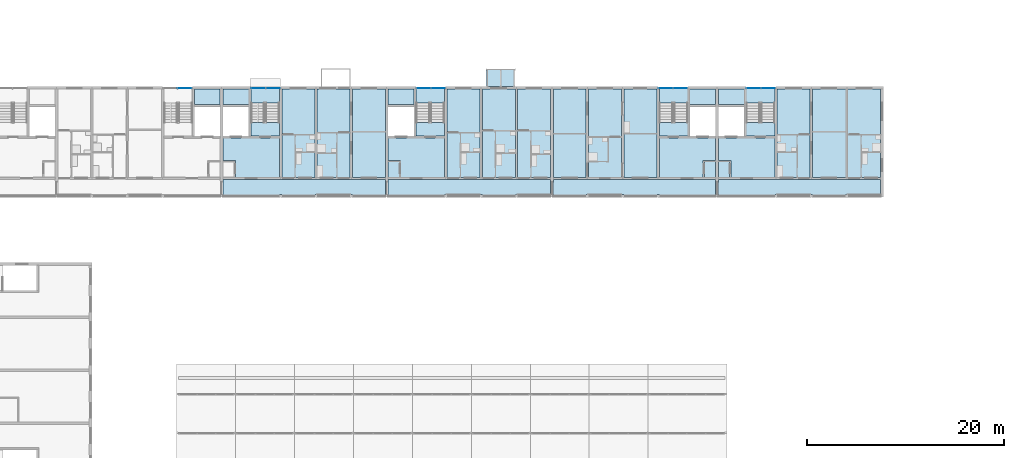
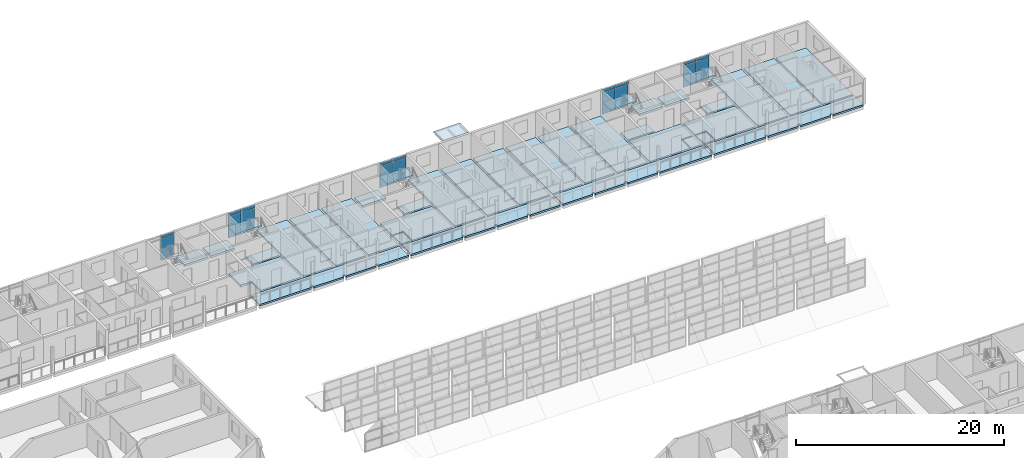
# One storey, part 52 of 122: 37 slabs, 18 plates, 9 elements without a shape of their own.
"""IFC4 building model written with IfcOpenShell, lengths in metres."""

import ifcopenshell
import ifcopenshell.guid

model = None  # the IFC model being written
_history = None  # IfcOwnerHistory: only IFC2X3 demands one
_inside = {}  # id of a spatial element -> (the spatial element, [elements in it])
_under = {}  # id of a project, library or spatial element -> (it, [spatial elements below it])
_declared = {}  # id of a project -> (the project, [libraries it declares])
_typed = {}  # id of a type object -> (the type object, [elements of that type])
_made_of = {}  # id of a material, layer set ... -> (it, [elements and type objects made of it])


def new_model(schema):
    """Start an empty IFC model of exactly this schema.

    Asked for "IFC4X3", IfcOpenShell would pick the latest addendum, in which some entities
    have other attributes; the version numbers below select the first issue.
    IFC2X3 requires an IfcOwnerHistory on every rooted entity: one is made here for all.
    """
    global model, _history
    if schema == "IFC4X3":
        model = ifcopenshell.file(schema_version=(4, 3, 0, 0))
    else:
        model = ifcopenshell.file(schema=schema)
    _inside.clear()
    _under.clear()
    _declared.clear()
    _typed.clear()
    _made_of.clear()
    _history = None
    if model.schema == "IFC2X3":
        org = make("IfcOrganization", Name="unknown")
        user = make(
            "IfcPersonAndOrganization",
            ThePerson=make("IfcPerson", FamilyName="unknown"),
            TheOrganization=org,
        )
        app = make(
            "IfcApplication",
            ApplicationDeveloper=org,
            Version="unknown",
            ApplicationFullName="unknown",
            ApplicationIdentifier="unknown",
        )
        _history = make(
            "IfcOwnerHistory",
            OwningUser=user,
            OwningApplication=app,
            ChangeAction="ADDED",
            CreationDate=0,
        )
    return model


def make(cls, **values):
    """One entity of the class cls with the attributes given. An attribute that is None is left unset."""
    return model.create_entity(
        cls, **{name: value for name, value in values.items() if value is not None}
    )


def rooted(cls, **values):
    """An entity with a GlobalId (a new one), such as an element, a storey or a relation."""
    return make(cls, GlobalId=ifcopenshell.guid.new(), OwnerHistory=_history, **values)


def si_unit(unit_type, name, prefix=None):
    """IfcSIUnit, for example si_unit("LENGTHUNIT", "METRE", prefix="MILLI")."""
    return make("IfcSIUnit", UnitType=unit_type, Prefix=prefix, Name=name)


def assignment(units):
    """IfcUnitAssignment: the units of a project."""
    return None if units is None else make("IfcUnitAssignment", Units=units)


def point(xyz):
    """IfcCartesianPoint."""
    return None if xyz is None else make("IfcCartesianPoint", Coordinates=xyz)


def direction(xyz):
    """IfcDirection."""
    return None if xyz is None else make("IfcDirection", DirectionRatios=xyz)


def frame(location, z_axis=None, x_axis=None):
    """IfcAxis2Placement3D, a coordinate frame: its origin and axes. An axis left out is left unset."""
    return make(
        "IfcAxis2Placement3D",
        Location=point(location),
        Axis=direction(z_axis),
        RefDirection=direction(x_axis),
    )


def frame_2d(location, x_axis=None):
    """IfcAxis2Placement2D, a coordinate frame in the plane: its origin and x axis."""
    return make(
        "IfcAxis2Placement2D", Location=point(location), RefDirection=direction(x_axis)
    )


def origin():
    """The frame at (0, 0, 0) with its axes left unset."""
    return frame((0.0, 0.0, 0.0))


def origin_2d():
    """The frame at (0, 0) in the plane with its x axis left unset."""
    return frame_2d((0.0, 0.0))


def place(relative_to, where):
    """IfcLocalPlacement: puts the frame where relative to a parent placement (None: the world)."""
    return make(
        "IfcLocalPlacement", PlacementRelTo=relative_to, RelativePlacement=where
    )


def context(
    kind, dimensions, precision=None, world=None, true_north=None, identifier=None
):
    """IfcGeometricRepresentationContext, for example the 3D "Model" context."""
    return make(
        "IfcGeometricRepresentationContext",
        ContextIdentifier=identifier,
        ContextType=kind,
        CoordinateSpaceDimension=dimensions,
        Precision=precision,
        WorldCoordinateSystem=world,
        TrueNorth=true_north,
    )


def subcontext(parent, identifier, kind, view, scale=None):
    """IfcGeometricRepresentationSubContext, for example "Body" below "Model"."""
    return make(
        "IfcGeometricRepresentationSubContext",
        ContextIdentifier=identifier,
        ContextType=kind,
        ParentContext=parent,
        TargetScale=scale,
        TargetView=view,
    )


def project(units=None, contexts=None):
    """IfcProject with its units and contexts."""
    return rooted(
        "IfcProject",
        Name="project",
        RepresentationContexts=contexts,
        UnitsInContext=assignment(units),
    )


def spatial(cls, under=None, at=None, **own):
    """A site, building, storey or space (cls), placed at a placement, below another one or the project."""
    s = rooted(cls, ObjectPlacement=at, **own)
    if under is not None:
        _under.setdefault(under.id(), (under, []))[1].append(s)
    return s


def polyline(points):
    """IfcPolyline through the points."""
    return make("IfcPolyline", Points=[point(p) for p in points])


def profile(cls, at=None, kind="AREA", **sizes):
    """A parametric profile (cls). Its sizes go by their IFC names, for example OverallWidth=200.0."""
    return make(cls, ProfileType=kind, Position=at, **sizes)


def rectangle(**sizes):
    """IfcRectangleProfileDef."""
    return profile("IfcRectangleProfileDef", **sizes)


def outline(outer, holes=None, kind="AREA"):
    """IfcArbitraryClosedProfileDef: a profile drawn as a closed curve; with holes, ...WithVoids."""
    if holes is None:
        return make("IfcArbitraryClosedProfileDef", ProfileType=kind, OuterCurve=outer)
    return make(
        "IfcArbitraryProfileDefWithVoids",
        ProfileType=kind,
        OuterCurve=outer,
        InnerCurves=holes,
    )


def extrude(swept, where, along, depth):
    """IfcExtrudedAreaSolid: the profile swept, set in the frame where, extruded along a direction by depth."""
    return make(
        "IfcExtrudedAreaSolid",
        SweptArea=swept,
        Position=where,
        ExtrudedDirection=direction(along),
        Depth=depth,
    )


def shape(context_of_items, identifier, shape_type, items):
    """IfcShapeRepresentation: the items that make up one representation, for example the "Body"."""
    return make(
        "IfcShapeRepresentation",
        ContextOfItems=context_of_items,
        RepresentationIdentifier=identifier,
        RepresentationType=shape_type,
        Items=items,
    )


def material(Name=None, Category=None):
    """IfcMaterial."""
    return make("IfcMaterial", Name=Name, Category=Category)


def layer(
    of_material, thickness, ventilated=None, Name=None, Category=None, Priority=None
):
    """IfcMaterialLayer: one layer of a wall or slab, of a material (None: an air gap)."""
    return make(
        "IfcMaterialLayer",
        Material=of_material,
        LayerThickness=thickness,
        IsVentilated=ventilated,
        Name=Name,
        Category=Category,
        Priority=Priority,
    )


def layer_set(layers, Name=None):
    """IfcMaterialLayerSet."""
    return make("IfcMaterialLayerSet", MaterialLayers=layers, LayerSetName=Name)


def made_of(thing, what):
    """Note that an element or type object is made of a material, layer set ...; save() writes the relation."""
    if what is not None:
        _made_of.setdefault(what.id(), (what, []))[1].append(thing)
    return thing


def type_object(cls, material=None, **own):
    """A type object (cls), such as IfcWallType, which elements share."""
    return made_of(rooted(cls, **own), material)


def element(
    cls,
    number,
    at=None,
    inside=None,
    cuts=None,
    type_object=None,
    material=None,
    context=None,
    identifier="Body",
    shape_type=None,
    held_by="IfcProductDefinitionShape",
    body=None,
    shapes=None,
    **own,
):
    """One element of the class cls, such as IfcWall. Its Tag is "e" and its number.

    at: its placement. inside: the storey or other place that contains it. cuts: it is an
    opening in that element (IfcRelVoidsElement). A single representation is given by context,
    identifier, shape_type and body (its items); several are given by shapes. held_by: the class
    of the entity that holds the representations. save() writes the other relations.
    """
    e = rooted(cls, Tag="e%d" % number, ObjectPlacement=at, **own)
    if body is not None:
        shapes = [shape(context, identifier, shape_type, body)]
    if shapes is not None:
        e.Representation = make(held_by, Representations=shapes)
    if inside is not None:
        _inside.setdefault(inside.id(), (inside, []))[1].append(e)
    if cuts is not None:
        rooted(
            "IfcRelVoidsElement", RelatingBuildingElement=cuts, RelatedOpeningElement=e
        )
    if type_object is not None:
        _typed.setdefault(type_object.id(), (type_object, []))[1].append(e)
    return made_of(e, material)


def aggregate(whole, parts):
    """IfcRelAggregates: a whole, such as a stair, and the parts it consists of."""
    return rooted("IfcRelAggregates", RelatingObject=whole, RelatedObjects=parts)


def save(model, path):
    """Write the relations noted so far, then the file.

    IfcRelAggregates (storeys below a building ...), IfcRelContainedInSpatialStructure (elements
    in a storey), IfcRelDefinesByType, IfcRelAssociatesMaterial and IfcRelDeclares: one each for
    every whole, place, type object, material and project.
    """
    for whole, parts in _under.values():
        aggregate(whole, parts)
    for where, things in _inside.values():
        rooted(
            "IfcRelContainedInSpatialStructure",
            RelatedElements=things,
            RelatingStructure=where,
        )
    for kind, things in _typed.values():
        rooted("IfcRelDefinesByType", RelatedObjects=things, RelatingType=kind)
    for what, things in _made_of.values():
        rooted("IfcRelAssociatesMaterial", RelatedObjects=things, RelatingMaterial=what)
    for by, libraries in _declared.values():
        rooted("IfcRelDeclares", RelatingContext=by, RelatedDefinitions=libraries)
    model.write(path)


model = new_model("IFC4")

# Units and contexts
model_context = context("Model", 3, precision=1e-05, world=origin(), true_north=direction((0.0, 1.0)))
body_context = subcontext(model_context, "Body", "Model", "MODEL_VIEW")
ifc_project = project(units=[si_unit("LENGTHUNIT", "METRE"), si_unit("AREAUNIT", "SQUARE_METRE"), si_unit("VOLUMEUNIT", "CUBIC_METRE"), si_unit("PLANEANGLEUNIT", "RADIAN"), si_unit("MASSUNIT", "GRAM", prefix="KILO")], contexts=[model_context])

# Site, building, storey
site_placement = place(None, origin())
site = spatial("IfcSite", under=ifc_project, at=site_placement, CompositionType="ELEMENT")
building_placement = place(site_placement, origin())
building = spatial("IfcBuilding", under=site, at=building_placement, Name="Ridgestep Commons", CompositionType="ELEMENT")
storey_placement = place(building_placement, frame((0.0, 0.0, 3.0)))
storey = spatial("IfcBuildingStorey", under=building, at=storey_placement, Name="L01", CompositionType="ELEMENT", Elevation=3.0)

# Slabs
ifc_material_1 = material(Name="Precast concrete C40/50", Category="concrete")
ifc_layer_1 = layer(ifc_material_1, 0.199951171875)
ifc_layer_set_1 = layer_set([ifc_layer_1], Name="Gallery slab 200")
slab_type_1 = type_object("IfcSlabType", Name="Gallery slab 200", PredefinedType="FLOOR", material=ifc_layer_set_1)
slab_1_placement = place(storey_placement, frame((0.0, 0.0, -0.199951171875)))
element("IfcSlab", 1, at=slab_1_placement, inside=storey, type_object=slab_type_1, Name="Gallery slab C3 L01", PredefinedType="FLOOR", context=body_context, shape_type="SweptSolid", body=[
    extrude(outline(polyline([(197.050048828125, 67.800048828125), (180.550048828125, 67.800048828125), (180.550048828125, 66.0), (186.27490234375, 66.0), (186.27490234375, 66.25), (186.52490234375, 66.25), (186.52490234375, 66.0), (189.875, 66.0), (189.875, 66.25), (190.125, 66.25), (190.125, 66.0), (193.47509765625, 66.0), (193.47509765625, 66.25), (193.72509765625, 66.25), (193.72509765625, 66.0), (197.050048828125, 66.0), (197.050048828125, 67.800048828125)])), origin(), (0.0, 0.0, 1.0), 0.199951171875),
])
slab_2_placement = place(storey_placement, frame((0.0, 0.0, -0.199951171875)))
element("IfcSlab", 2, at=slab_2_placement, inside=storey, type_object=slab_type_1, Name="Gallery slab C4 L01", PredefinedType="FLOOR", context=body_context, shape_type="SweptSolid", body=[
    extrude(outline(polyline([(213.85009765625, 67.800048828125), (197.35009765625, 67.800048828125), (197.35009765625, 66.0), (203.074951171875, 66.0), (203.074951171875, 66.25), (203.324951171875, 66.25), (203.324951171875, 66.0), (206.675048828125, 66.0), (206.675048828125, 66.25), (206.925048828125, 66.25), (206.925048828125, 66.0), (210.27490234375, 66.0), (210.27490234375, 66.25), (210.52490234375, 66.25), (210.52490234375, 66.0), (213.85009765625, 66.0), (213.85009765625, 67.800048828125)])), origin(), (0.0, 0.0, 1.0), 0.199951171875),
])
slab_3_placement = place(storey_placement, frame((0.0, 0.0, -0.199951171875)))
element("IfcSlab", 3, at=slab_3_placement, inside=storey, type_object=slab_type_1, Name="Gallery slab C5 L01", PredefinedType="FLOOR", context=body_context, shape_type="SweptSolid", body=[
    extrude(outline(polyline([(230.64990234375, 67.800048828125), (214.14990234375, 67.800048828125), (214.14990234375, 66.0), (217.47509765625, 66.0), (217.47509765625, 66.25), (217.72509765625, 66.25), (217.72509765625, 66.0), (221.074951171875, 66.0), (221.074951171875, 66.25), (221.324951171875, 66.25), (221.324951171875, 66.0), (224.675048828125, 66.0), (224.675048828125, 66.25), (224.925048828125, 66.25), (224.925048828125, 66.0), (230.64990234375, 66.0), (230.64990234375, 67.800048828125)])), origin(), (0.0, 0.0, 1.0), 0.199951171875),
])
slab_4_placement = place(storey_placement, frame((0.0, 0.0, -0.199951171875)))
element("IfcSlab", 4, at=slab_4_placement, inside=storey, type_object=slab_type_1, Name="Gallery slab C6 L01", PredefinedType="FLOOR", context=body_context, shape_type="SweptSolid", body=[
    extrude(outline(polyline([(247.449951171875, 67.800048828125), (230.949951171875, 67.800048828125), (230.949951171875, 66.0), (236.675048828125, 66.0), (236.675048828125, 66.25), (236.925048828125, 66.25), (236.925048828125, 66.0), (240.27490234375, 66.0), (240.27490234375, 66.25), (240.52490234375, 66.25), (240.52490234375, 66.0), (243.875, 66.0), (243.875, 66.25), (244.125, 66.25), (244.125, 66.0), (247.449951171875, 66.0), (247.449951171875, 67.800048828125)])), origin(), (0.0, 0.0, 1.0), 0.199951171875),
])

# Curtain wall, plate
ifc_material_2 = material(Name="Aluminium 6063-T6 and glass", Category="aluminium")
curtain_wall_type = type_object("IfcCurtainWallType", Name="Curtain wall stair strip", PredefinedType="NOTDEFINED", material=ifc_material_2)
curtain_wall_1_placement = place(storey_placement, origin())
curtain_wall_1 = element("IfcCurtainWall", 5, at=curtain_wall_1_placement, inside=storey, type_object=curtain_wall_type, Name="Curtain wall C2C level 01", PredefinedType="NOTDEFINED")
ifc_material_3 = material(Name="Glass laminated 6/16/6 low-emissivity", Category="glass")
ifc_layer_2 = layer(ifc_material_3, 0.028076171875)
ifc_layer_set_2 = layer_set([ifc_layer_2], Name="Glazing panel 28")
plate_type_1 = type_object("IfcPlateType", Name="Glazing panel 28", PredefinedType="CURTAIN_PANEL", material=ifc_layer_set_2)
plate_1_placement = place(storey_placement, frame((176.65380859375, 77.080078125, 0.06005859375), z_axis=(0.0, 0.0, 1.0), x_axis=(1.0, 0.0, 0.0)))
plate_1 = element("IfcPlate", 6, at=plate_1_placement, type_object=plate_type_1, Name="CW1 panel 2.1", PredefinedType="CURTAIN_PANEL", context=body_context, shape_type="SweptSolid", body=[
    extrude(rectangle(XDim=1.422607421875, YDim=0.028076171875, at=origin_2d()), origin(), (0.0, 0.0, 1.0), 2.5),
])

# Curtain wall, plates
curtain_wall_2_placement = place(storey_placement, origin())
curtain_wall_2 = element("IfcCurtainWall", 7, at=curtain_wall_2_placement, inside=storey, type_object=curtain_wall_type, Name="Curtain wall C3C level 01", PredefinedType="NOTDEFINED")
plate_2_placement = place(storey_placement, frame((184.146240234375, 77.080078125, 0.06005859375), z_axis=(0.0, 0.0, 1.0), x_axis=(1.0, 0.0, 0.0)))
plate_2 = element("IfcPlate", 8, at=plate_2_placement, type_object=plate_type_1, Name="CW1 panel 1.1", PredefinedType="CURTAIN_PANEL", context=body_context, shape_type="SweptSolid", body=[
    extrude(rectangle(XDim=1.422607421875, YDim=0.028076171875, at=origin_2d()), origin(), (0.0, 0.0, 1.0), 2.5),
])
plate_3_placement = place(storey_placement, frame((185.628662109375, 77.080078125, 0.06005859375), z_axis=(0.0, 0.0, 1.0), x_axis=(1.0, 0.0, 0.0)))
plate_3 = element("IfcPlate", 9, at=plate_3_placement, type_object=plate_type_1, Name="CW1 panel 2.1", PredefinedType="CURTAIN_PANEL", context=body_context, shape_type="SweptSolid", body=[
    extrude(rectangle(XDim=1.422607421875, YDim=0.028076171875, at=origin_2d()), origin(), (0.0, 0.0, 1.0), 2.5),
])

curtain_wall_3_placement = place(storey_placement, origin())
curtain_wall_3 = element("IfcCurtainWall", 10, at=curtain_wall_3_placement, inside=storey, type_object=curtain_wall_type, Name="Curtain wall C4C level 01", PredefinedType="NOTDEFINED")
plate_4_placement = place(storey_placement, frame((200.9462890625, 77.080078125, 0.06005859375), z_axis=(0.0, 0.0, 1.0), x_axis=(1.0, 0.0, 0.0)))
plate_4 = element("IfcPlate", 11, at=plate_4_placement, type_object=plate_type_1, Name="CW1 panel 1.1", PredefinedType="CURTAIN_PANEL", context=body_context, shape_type="SweptSolid", body=[
    extrude(rectangle(XDim=1.422607421875, YDim=0.028076171875, at=origin_2d()), origin(), (0.0, 0.0, 1.0), 2.5),
])
plate_5_placement = place(storey_placement, frame((202.4287109375, 77.080078125, 0.06005859375), z_axis=(0.0, 0.0, 1.0), x_axis=(1.0, 0.0, 0.0)))
plate_5 = element("IfcPlate", 12, at=plate_5_placement, type_object=plate_type_1, Name="CW1 panel 2.1", PredefinedType="CURTAIN_PANEL", context=body_context, shape_type="SweptSolid", body=[
    extrude(rectangle(XDim=1.422607421875, YDim=0.028076171875, at=origin_2d()), origin(), (0.0, 0.0, 1.0), 2.5),
])

curtain_wall_4_placement = place(storey_placement, origin())
curtain_wall_4 = element("IfcCurtainWall", 13, at=curtain_wall_4_placement, inside=storey, type_object=curtain_wall_type, Name="Curtain wall C5C level 01", PredefinedType="NOTDEFINED")
plate_6_placement = place(storey_placement, frame((225.5712890625, 77.080078125, 0.06005859375), z_axis=(0.0, 0.0, 1.0), x_axis=(1.0, 0.0, 0.0)))
plate_6 = element("IfcPlate", 14, at=plate_6_placement, type_object=plate_type_1, Name="CW1 panel 1.1", PredefinedType="CURTAIN_PANEL", context=body_context, shape_type="SweptSolid", body=[
    extrude(rectangle(XDim=1.422607421875, YDim=0.028076171875, at=origin_2d()), origin(), (0.0, 0.0, 1.0), 2.5),
])
plate_7_placement = place(storey_placement, frame((227.0537109375, 77.080078125, 0.06005859375), z_axis=(0.0, 0.0, 1.0), x_axis=(1.0, 0.0, 0.0)))
plate_7 = element("IfcPlate", 15, at=plate_7_placement, type_object=plate_type_1, Name="CW1 panel 2.1", PredefinedType="CURTAIN_PANEL", context=body_context, shape_type="SweptSolid", body=[
    extrude(rectangle(XDim=1.422607421875, YDim=0.028076171875, at=origin_2d()), origin(), (0.0, 0.0, 1.0), 2.5),
])

curtain_wall_5_placement = place(storey_placement, origin())
curtain_wall_5 = element("IfcCurtainWall", 16, at=curtain_wall_5_placement, inside=storey, type_object=curtain_wall_type, Name="Curtain wall C6C level 01", PredefinedType="NOTDEFINED")
plate_8_placement = place(storey_placement, frame((234.546142578125, 77.080078125, 0.06005859375), z_axis=(0.0, 0.0, 1.0), x_axis=(1.0, 0.0, 0.0)))
plate_8 = element("IfcPlate", 17, at=plate_8_placement, type_object=plate_type_1, Name="CW1 panel 1.1", PredefinedType="CURTAIN_PANEL", context=body_context, shape_type="SweptSolid", body=[
    extrude(rectangle(XDim=1.422607421875, YDim=0.028076171875, at=origin_2d()), origin(), (0.0, 0.0, 1.0), 2.5),
])
plate_9_placement = place(storey_placement, frame((236.02880859375, 77.080078125, 0.06005859375), z_axis=(0.0, 0.0, 1.0), x_axis=(1.0, 0.0, 0.0)))
plate_9 = element("IfcPlate", 18, at=plate_9_placement, type_object=plate_type_1, Name="CW1 panel 2.1", PredefinedType="CURTAIN_PANEL", context=body_context, shape_type="SweptSolid", body=[
    extrude(rectangle(XDim=1.422607421875, YDim=0.028076171875, at=origin_2d()), origin(), (0.0, 0.0, 1.0), 2.5),
])

# Slabs
ifc_material_4 = material(Name="Precast concrete C50/60", Category="concrete")
ifc_layer_3 = layer(ifc_material_4, 0.199951171875)
ifc_layer_set_3 = layer_set([ifc_layer_3], Name="Hollow-core plank 200")
slab_type_2 = type_object("IfcSlabType", Name="Hollow-core plank 200", PredefinedType="FLOOR", material=ifc_layer_set_3)
slab_5_placement = place(storey_placement, frame((0.0, 0.0, -0.199951171875)))
element("IfcSlab", 19, at=slab_5_placement, inside=storey, type_object=slab_type_2, Name="Floor plank C3T3 L01", PredefinedType="FLOOR", context=body_context, shape_type="SweptSolid", body=[
    extrude(outline(polyline([(189.875, 68.0), (189.875, 77.0), (186.52490234375, 77.0), (186.52490234375, 68.0), (189.875, 68.0)])), origin(), (0.0, 0.0, 1.0), 0.199951171875),
])
slab_6_placement = place(storey_placement, frame((0.0, 0.0, -0.199951171875)))
element("IfcSlab", 20, at=slab_6_placement, inside=storey, type_object=slab_type_2, Name="Floor plank C3T2 L01", PredefinedType="FLOOR", context=body_context, shape_type="SweptSolid", body=[
    extrude(outline(polyline([(193.47509765625, 68.0), (193.47509765625, 77.0), (190.125, 77.0), (190.125, 68.0), (193.47509765625, 68.0)])), origin(), (0.0, 0.0, 1.0), 0.199951171875),
])
slab_7_placement = place(storey_placement, frame((0.0, 0.0, -0.199951171875)))
element("IfcSlab", 21, at=slab_7_placement, inside=storey, type_object=slab_type_2, Name="Floor plank C3T1 L01", PredefinedType="FLOOR", context=body_context, shape_type="SweptSolid", body=[
    extrude(outline(polyline([(197.050048828125, 68.0), (197.050048828125, 77.0), (193.72509765625, 77.0), (193.72509765625, 68.0), (197.050048828125, 68.0)])), origin(), (0.0, 0.0, 1.0), 0.199951171875),
])
slab_8_placement = place(storey_placement, frame((0.0, 0.0, -0.199951171875)))
element("IfcSlab", 22, at=slab_8_placement, inside=storey, type_object=slab_type_2, Name="Floor plank C4T3 L01", PredefinedType="FLOOR", context=body_context, shape_type="SweptSolid", body=[
    extrude(outline(polyline([(206.675048828125, 68.0), (206.675048828125, 77.0), (203.324951171875, 77.0), (203.324951171875, 68.0), (206.675048828125, 68.0)])), origin(), (0.0, 0.0, 1.0), 0.199951171875),
])
slab_9_placement = place(storey_placement, frame((0.0, 0.0, -0.199951171875)))
element("IfcSlab", 23, at=slab_9_placement, inside=storey, type_object=slab_type_2, Name="Floor plank C4T2 L01", PredefinedType="FLOOR", context=body_context, shape_type="SweptSolid", body=[
    extrude(outline(polyline([(210.300048828125, 68.0), (210.300048828125, 77.0), (206.925048828125, 77.0), (206.925048828125, 68.0), (210.300048828125, 68.0)])), origin(), (0.0, 0.0, 1.0), 0.199951171875),
])
slab_10_placement = place(storey_placement, frame((0.0, 0.0, -0.199951171875)))
element("IfcSlab", 24, at=slab_10_placement, inside=storey, type_object=slab_type_2, Name="Floor plank C4T1 L01", PredefinedType="FLOOR", context=body_context, shape_type="SweptSolid", body=[
    extrude(outline(polyline([(213.85009765625, 68.0), (213.85009765625, 77.0), (210.5, 77.0), (210.5, 68.0), (213.85009765625, 68.0)])), origin(), (0.0, 0.0, 1.0), 0.199951171875),
])
slab_11_placement = place(storey_placement, frame((0.0, 0.0, -0.199951171875)))
element("IfcSlab", 25, at=slab_11_placement, inside=storey, type_object=slab_type_2, Name="Floor plank C5T1 L01", PredefinedType="FLOOR", context=body_context, shape_type="SweptSolid", body=[
    extrude(outline(polyline([(217.47509765625, 68.0), (217.47509765625, 77.0), (214.14990234375, 77.0), (214.14990234375, 68.0), (217.47509765625, 68.0)])), origin(), (0.0, 0.0, 1.0), 0.199951171875),
])
slab_12_placement = place(storey_placement, frame((0.0, 0.0, -0.199951171875)))
element("IfcSlab", 26, at=slab_12_placement, inside=storey, type_object=slab_type_2, Name="Floor plank C5T2 L01", PredefinedType="FLOOR", context=body_context, shape_type="SweptSolid", body=[
    extrude(outline(polyline([(221.074951171875, 68.0), (221.074951171875, 77.0), (217.72509765625, 77.0), (217.72509765625, 68.0), (221.074951171875, 68.0)])), origin(), (0.0, 0.0, 1.0), 0.199951171875),
])
slab_13_placement = place(storey_placement, frame((0.0, 0.0, -0.199951171875)))
element("IfcSlab", 27, at=slab_13_placement, inside=storey, type_object=slab_type_2, Name="Floor plank C5T3 L01", PredefinedType="FLOOR", context=body_context, shape_type="SweptSolid", body=[
    extrude(outline(polyline([(224.675048828125, 68.0), (224.675048828125, 77.0), (221.324951171875, 77.0), (221.324951171875, 68.0), (224.675048828125, 68.0)])), origin(), (0.0, 0.0, 1.0), 0.199951171875),
])
slab_14_placement = place(storey_placement, frame((0.0, 0.0, -0.199951171875)))
element("IfcSlab", 28, at=slab_14_placement, inside=storey, type_object=slab_type_2, Name="Floor plank C6T3 L01", PredefinedType="FLOOR", context=body_context, shape_type="SweptSolid", body=[
    extrude(outline(polyline([(240.27490234375, 68.0), (240.27490234375, 77.0), (236.925048828125, 77.0), (236.925048828125, 68.0), (240.27490234375, 68.0)])), origin(), (0.0, 0.0, 1.0), 0.199951171875),
])
slab_15_placement = place(storey_placement, frame((0.0, 0.0, -0.199951171875)))
element("IfcSlab", 29, at=slab_15_placement, inside=storey, type_object=slab_type_2, Name="Floor plank C6T2 L01", PredefinedType="FLOOR", context=body_context, shape_type="SweptSolid", body=[
    extrude(outline(polyline([(243.89990234375, 68.0), (243.89990234375, 77.0), (240.52490234375, 77.0), (240.52490234375, 68.0), (243.89990234375, 68.0)])), origin(), (0.0, 0.0, 1.0), 0.199951171875),
])
slab_16_placement = place(storey_placement, frame((0.0, 0.0, -0.199951171875)))
element("IfcSlab", 30, at=slab_16_placement, inside=storey, type_object=slab_type_2, Name="Floor plank C6T1 L01", PredefinedType="FLOOR", context=body_context, shape_type="SweptSolid", body=[
    extrude(outline(polyline([(247.449951171875, 68.0), (247.449951171875, 77.0), (244.10009765625, 77.0), (244.10009765625, 68.0), (247.449951171875, 68.0)])), origin(), (0.0, 0.0, 1.0), 0.199951171875),
])
ifc_material_5 = material(Name="Precast concrete C50/60", Category="concrete")
ifc_layer_4 = layer(ifc_material_5, 0.25)
ifc_layer_set_4 = layer_set([ifc_layer_4], Name="Hollow-core plank 250")
slab_type_3 = type_object("IfcSlabType", Name="Hollow-core plank 250", PredefinedType="FLOOR", material=ifc_layer_set_4)
slab_17_placement = place(storey_placement, frame((0.0, 0.0, -0.25)))
element("IfcSlab", 31, at=slab_17_placement, inside=storey, type_object=slab_type_3, Name="Floor plank C2C L01", PredefinedType="FLOOR", context=body_context, shape_type="SweptSolid", body=[
    extrude(outline(polyline([(180.25, 75.39990234375), (180.25, 77.0), (177.625, 77.0), (177.625, 75.39990234375), (180.25, 75.39990234375)])), origin(), (0.0, 0.0, 1.0), 0.25),
])
slab_18_placement = place(storey_placement, frame((0.0, 0.0, -0.25)))
element("IfcSlab", 32, at=slab_18_placement, inside=storey, type_object=slab_type_3, Name="Floor plank C3C L01", PredefinedType="FLOOR", context=body_context, shape_type="SweptSolid", body=[
    extrude(outline(polyline([(181.800048828125, 68.0), (186.27490234375, 68.0), (186.27490234375, 72.0), (180.550048828125, 72.0), (180.550048828125, 69.719970703125), (181.679931640625, 69.719970703125), (181.800048828125, 69.719970703125), (181.800048828125, 68.0)])), origin(), (0.0, 0.0, 1.0), 0.25),
])
slab_19_placement = place(storey_placement, frame((0.0, 0.0, -0.25)))
element("IfcSlab", 33, at=slab_19_placement, inside=storey, type_object=slab_type_3, Name="Floor plank C3C L01", PredefinedType="FLOOR", context=body_context, shape_type="SweptSolid", body=[
    extrude(outline(polyline([(183.175048828125, 77.0), (180.550048828125, 77.0), (180.550048828125, 75.39990234375), (183.175048828125, 75.39990234375), (183.175048828125, 77.0)])), origin(), (0.0, 0.0, 1.0), 0.25),
])
slab_20_placement = place(storey_placement, frame((0.0, 0.0, -0.25)))
element("IfcSlab", 34, at=slab_20_placement, inside=storey, type_object=slab_type_3, Name="Floor plank C3C L01", PredefinedType="FLOOR", context=body_context, shape_type="SweptSolid", body=[
    extrude(outline(polyline([(186.27490234375, 72.199951171875), (186.27490234375, 73.60009765625), (183.375, 73.60009765625), (183.375, 72.199951171875), (186.27490234375, 72.199951171875)])), origin(), (0.0, 0.0, 1.0), 0.25),
])
slab_21_placement = place(storey_placement, frame((0.0, 0.0, -0.25)))
element("IfcSlab", 35, at=slab_21_placement, inside=storey, type_object=slab_type_3, Name="Floor plank C4C L01", PredefinedType="FLOOR", context=body_context, shape_type="SweptSolid", body=[
    extrude(outline(polyline([(198.60009765625, 68.0), (203.074951171875, 68.0), (203.074951171875, 72.0), (197.35009765625, 72.0), (197.35009765625, 69.719970703125), (198.47998046875, 69.719970703125), (198.60009765625, 69.719970703125), (198.60009765625, 68.0)])), origin(), (0.0, 0.0, 1.0), 0.25),
])
slab_22_placement = place(storey_placement, frame((0.0, 0.0, -0.25)))
element("IfcSlab", 36, at=slab_22_placement, inside=storey, type_object=slab_type_3, Name="Floor plank C4C L01", PredefinedType="FLOOR", context=body_context, shape_type="SweptSolid", body=[
    extrude(outline(polyline([(199.97509765625, 77.0), (197.35009765625, 77.0), (197.35009765625, 75.39990234375), (199.97509765625, 75.39990234375), (199.97509765625, 77.0)])), origin(), (0.0, 0.0, 1.0), 0.25),
])
slab_23_placement = place(storey_placement, frame((0.0, 0.0, -0.25)))
element("IfcSlab", 37, at=slab_23_placement, inside=storey, type_object=slab_type_3, Name="Floor plank C4C L01", PredefinedType="FLOOR", context=body_context, shape_type="SweptSolid", body=[
    extrude(outline(polyline([(203.074951171875, 72.199951171875), (203.074951171875, 73.60009765625), (200.175048828125, 73.60009765625), (200.175048828125, 72.199951171875), (203.074951171875, 72.199951171875)])), origin(), (0.0, 0.0, 1.0), 0.25),
])
slab_24_placement = place(storey_placement, frame((0.0, 0.0, -0.25)))
element("IfcSlab", 38, at=slab_24_placement, inside=storey, type_object=slab_type_3, Name="Floor plank C4C L01", PredefinedType="FLOOR", context=body_context, shape_type="SweptSolid", body=[
    extrude(outline(polyline([(198.47998046875, 69.60009765625), (197.35009765625, 69.60009765625), (197.35009765625, 68.0), (198.47998046875, 68.0), (198.47998046875, 69.60009765625)])), origin(), (0.0, 0.0, 1.0), 0.25),
])
slab_25_placement = place(storey_placement, frame((0.0, 0.0, -0.25)))
element("IfcSlab", 39, at=slab_25_placement, inside=storey, type_object=slab_type_3, Name="Floor plank C5C L01", PredefinedType="FLOOR", context=body_context, shape_type="SweptSolid", body=[
    extrude(outline(polyline([(229.52001953125, 69.719970703125), (230.64990234375, 69.719970703125), (230.64990234375, 72.0), (224.925048828125, 72.0), (224.925048828125, 68.0), (229.39990234375, 68.0), (229.39990234375, 69.719970703125), (229.52001953125, 69.719970703125)])), origin(), (0.0, 0.0, 1.0), 0.25),
])
slab_26_placement = place(storey_placement, frame((0.0, 0.0, -0.25)))
element("IfcSlab", 40, at=slab_26_placement, inside=storey, type_object=slab_type_3, Name="Floor plank C5C L01", PredefinedType="FLOOR", context=body_context, shape_type="SweptSolid", body=[
    extrude(outline(polyline([(230.64990234375, 75.39990234375), (230.64990234375, 77.0), (228.02490234375, 77.0), (228.02490234375, 75.39990234375), (230.64990234375, 75.39990234375)])), origin(), (0.0, 0.0, 1.0), 0.25),
])
slab_27_placement = place(storey_placement, frame((0.0, 0.0, -0.25)))
element("IfcSlab", 41, at=slab_27_placement, inside=storey, type_object=slab_type_3, Name="Floor plank C5C L01", PredefinedType="FLOOR", context=body_context, shape_type="SweptSolid", body=[
    extrude(outline(polyline([(227.824951171875, 72.199951171875), (227.824951171875, 73.60009765625), (224.925048828125, 73.60009765625), (224.925048828125, 72.199951171875), (227.824951171875, 72.199951171875)])), origin(), (0.0, 0.0, 1.0), 0.25),
])
slab_28_placement = place(storey_placement, frame((0.0, 0.0, -0.25)))
element("IfcSlab", 42, at=slab_28_placement, inside=storey, type_object=slab_type_3, Name="Floor plank C5C L01", PredefinedType="FLOOR", context=body_context, shape_type="SweptSolid", body=[
    extrude(outline(polyline([(229.52001953125, 68.0), (230.64990234375, 68.0), (230.64990234375, 69.60009765625), (229.52001953125, 69.60009765625), (229.52001953125, 68.0)])), origin(), (0.0, 0.0, 1.0), 0.25),
])
slab_29_placement = place(storey_placement, frame((0.0, 0.0, -0.25)))
element("IfcSlab", 43, at=slab_29_placement, inside=storey, type_object=slab_type_3, Name="Floor plank C6C L01", PredefinedType="FLOOR", context=body_context, shape_type="SweptSolid", body=[
    extrude(outline(polyline([(232.199951171875, 68.0), (236.675048828125, 68.0), (236.675048828125, 72.0), (230.949951171875, 72.0), (230.949951171875, 69.719970703125), (232.080078125, 69.719970703125), (232.199951171875, 69.719970703125), (232.199951171875, 68.0)])), origin(), (0.0, 0.0, 1.0), 0.25),
])
slab_30_placement = place(storey_placement, frame((0.0, 0.0, -0.25)))
element("IfcSlab", 44, at=slab_30_placement, inside=storey, type_object=slab_type_3, Name="Floor plank C6C L01", PredefinedType="FLOOR", context=body_context, shape_type="SweptSolid", body=[
    extrude(outline(polyline([(233.574951171875, 77.0), (230.949951171875, 77.0), (230.949951171875, 75.39990234375), (233.574951171875, 75.39990234375), (233.574951171875, 77.0)])), origin(), (0.0, 0.0, 1.0), 0.25),
])
slab_31_placement = place(storey_placement, frame((0.0, 0.0, -0.25)))
element("IfcSlab", 45, at=slab_31_placement, inside=storey, type_object=slab_type_3, Name="Floor plank C6C L01", PredefinedType="FLOOR", context=body_context, shape_type="SweptSolid", body=[
    extrude(outline(polyline([(236.675048828125, 72.199951171875), (236.675048828125, 73.60009765625), (233.77490234375, 73.60009765625), (233.77490234375, 72.199951171875), (236.675048828125, 72.199951171875)])), origin(), (0.0, 0.0, 1.0), 0.25),
])
slab_32_placement = place(storey_placement, frame((0.0, 0.0, -0.25)))
element("IfcSlab", 46, at=slab_32_placement, inside=storey, type_object=slab_type_3, Name="Floor plank C6C L01", PredefinedType="FLOOR", context=body_context, shape_type="SweptSolid", body=[
    extrude(outline(polyline([(232.080078125, 69.60009765625), (230.949951171875, 69.60009765625), (230.949951171875, 68.0), (232.080078125, 68.0), (232.080078125, 69.60009765625)])), origin(), (0.0, 0.0, 1.0), 0.25),
])

# Plate
ifc_material_6 = material(Name="Aluminium 6063-T6 and mineral wool", Category="aluminium")
ifc_layer_5 = layer(ifc_material_6, 0.0400390625)
ifc_layer_set_5 = layer_set([ifc_layer_5], Name="Spandrel panel 40")
plate_type_2 = type_object("IfcPlateType", Name="Spandrel panel 40", PredefinedType="CURTAIN_PANEL", material=ifc_layer_set_5)
plate_10_placement = place(storey_placement, frame((176.65380859375, 77.080078125, 2.6201171875), z_axis=(0.0, 0.0, 1.0), x_axis=(1.0, 0.0, 0.0)))
plate_10 = element("IfcPlate", 47, at=plate_10_placement, type_object=plate_type_2, Name="CW1 panel 2.2", PredefinedType="CURTAIN_PANEL", context=body_context, shape_type="SweptSolid", body=[
    extrude(rectangle(XDim=1.422607421875, YDim=0.0400390625, at=origin_2d()), origin(), (0.0, 0.0, 1.0), 0.320068359375),
])

aggregate(curtain_wall_1, [plate_1, plate_10])

plate_11_placement = place(storey_placement, frame((184.146240234375, 77.080078125, 2.6201171875), z_axis=(0.0, 0.0, 1.0), x_axis=(1.0, 0.0, 0.0)))
plate_11 = element("IfcPlate", 48, at=plate_11_placement, type_object=plate_type_2, Name="CW1 panel 1.2", PredefinedType="CURTAIN_PANEL", context=body_context, shape_type="SweptSolid", body=[
    extrude(rectangle(XDim=1.422607421875, YDim=0.0400390625, at=origin_2d()), origin(), (0.0, 0.0, 1.0), 0.320068359375),
])

plate_12_placement = place(storey_placement, frame((185.628662109375, 77.080078125, 2.6201171875), z_axis=(0.0, 0.0, 1.0), x_axis=(1.0, 0.0, 0.0)))
plate_12 = element("IfcPlate", 49, at=plate_12_placement, type_object=plate_type_2, Name="CW1 panel 2.2", PredefinedType="CURTAIN_PANEL", context=body_context, shape_type="SweptSolid", body=[
    extrude(rectangle(XDim=1.422607421875, YDim=0.0400390625, at=origin_2d()), origin(), (0.0, 0.0, 1.0), 0.320068359375),
])

aggregate(curtain_wall_2, [plate_2, plate_11, plate_3, plate_12])

plate_13_placement = place(storey_placement, frame((200.9462890625, 77.080078125, 2.6201171875), z_axis=(0.0, 0.0, 1.0), x_axis=(1.0, 0.0, 0.0)))
plate_13 = element("IfcPlate", 50, at=plate_13_placement, type_object=plate_type_2, Name="CW1 panel 1.2", PredefinedType="CURTAIN_PANEL", context=body_context, shape_type="SweptSolid", body=[
    extrude(rectangle(XDim=1.422607421875, YDim=0.0400390625, at=origin_2d()), origin(), (0.0, 0.0, 1.0), 0.320068359375),
])

plate_14_placement = place(storey_placement, frame((202.4287109375, 77.080078125, 2.6201171875), z_axis=(0.0, 0.0, 1.0), x_axis=(1.0, 0.0, 0.0)))
plate_14 = element("IfcPlate", 51, at=plate_14_placement, type_object=plate_type_2, Name="CW1 panel 2.2", PredefinedType="CURTAIN_PANEL", context=body_context, shape_type="SweptSolid", body=[
    extrude(rectangle(XDim=1.422607421875, YDim=0.0400390625, at=origin_2d()), origin(), (0.0, 0.0, 1.0), 0.320068359375),
])

aggregate(curtain_wall_3, [plate_4, plate_13, plate_5, plate_14])

plate_15_placement = place(storey_placement, frame((225.5712890625, 77.080078125, 2.6201171875), z_axis=(0.0, 0.0, 1.0), x_axis=(1.0, 0.0, 0.0)))
plate_15 = element("IfcPlate", 52, at=plate_15_placement, type_object=plate_type_2, Name="CW1 panel 1.2", PredefinedType="CURTAIN_PANEL", context=body_context, shape_type="SweptSolid", body=[
    extrude(rectangle(XDim=1.422607421875, YDim=0.0400390625, at=origin_2d()), origin(), (0.0, 0.0, 1.0), 0.320068359375),
])

plate_16_placement = place(storey_placement, frame((227.0537109375, 77.080078125, 2.6201171875), z_axis=(0.0, 0.0, 1.0), x_axis=(1.0, 0.0, 0.0)))
plate_16 = element("IfcPlate", 53, at=plate_16_placement, type_object=plate_type_2, Name="CW1 panel 2.2", PredefinedType="CURTAIN_PANEL", context=body_context, shape_type="SweptSolid", body=[
    extrude(rectangle(XDim=1.422607421875, YDim=0.0400390625, at=origin_2d()), origin(), (0.0, 0.0, 1.0), 0.320068359375),
])

aggregate(curtain_wall_4, [plate_6, plate_15, plate_7, plate_16])

plate_17_placement = place(storey_placement, frame((234.546142578125, 77.080078125, 2.6201171875), z_axis=(0.0, 0.0, 1.0), x_axis=(1.0, 0.0, 0.0)))
plate_17 = element("IfcPlate", 54, at=plate_17_placement, type_object=plate_type_2, Name="CW1 panel 1.2", PredefinedType="CURTAIN_PANEL", context=body_context, shape_type="SweptSolid", body=[
    extrude(rectangle(XDim=1.422607421875, YDim=0.0400390625, at=origin_2d()), origin(), (0.0, 0.0, 1.0), 0.320068359375),
])

plate_18_placement = place(storey_placement, frame((236.02880859375, 77.080078125, 2.6201171875), z_axis=(0.0, 0.0, 1.0), x_axis=(1.0, 0.0, 0.0)))
plate_18 = element("IfcPlate", 55, at=plate_18_placement, type_object=plate_type_2, Name="CW1 panel 2.2", PredefinedType="CURTAIN_PANEL", context=body_context, shape_type="SweptSolid", body=[
    extrude(rectangle(XDim=1.422607421875, YDim=0.0400390625, at=origin_2d()), origin(), (0.0, 0.0, 1.0), 0.320068359375),
])

aggregate(curtain_wall_5, [plate_8, plate_17, plate_9, plate_18])

# Stair, slab
ifc_material_7 = material(Name="Precast concrete C40/50", Category="concrete")
stair_type = type_object("IfcStairType", Name="Escape stair 1400", PredefinedType="HALF_TURN_STAIR", material=ifc_material_7)
stair_1_placement = place(storey_placement, origin())
stair_1 = element("IfcStair", 56, at=stair_1_placement, inside=storey, type_object=stair_type, Name="L01 Escape stair C3C", PredefinedType="HALF_TURN_STAIR")
ifc_material_8 = material(Name="Precast concrete C40/50", Category="concrete")
ifc_layer_6 = layer(ifc_material_8, 0.199951171875)
ifc_layer_set_6 = layer_set([ifc_layer_6], Name="Stair landing 200")
slab_type_4 = type_object("IfcSlabType", Name="Stair landing 200", PredefinedType="LANDING", material=ifc_layer_set_6)
slab_33_placement = place(storey_placement, frame((0.0, 0.0, 1.300048828125)))
slab_33 = element("IfcSlab", 57, at=slab_33_placement, type_object=slab_type_4, Name="C3C landing 1", PredefinedType="LANDING", context=body_context, shape_type="SweptSolid", body=[
    extrude(outline(polyline([(186.27490234375, 75.56005859375), (186.27490234375, 77.0), (183.375, 77.0), (183.375, 75.56005859375), (186.27490234375, 75.56005859375)])), origin(), (0.0, 0.0, 1.0), 0.199951171875),
])
aggregate(stair_1, [slab_33])

stair_2_placement = place(storey_placement, origin())
stair_2 = element("IfcStair", 58, at=stair_2_placement, inside=storey, type_object=stair_type, Name="L01 Escape stair C4C", PredefinedType="HALF_TURN_STAIR")
slab_34_placement = place(storey_placement, frame((0.0, 0.0, 1.300048828125)))
slab_34 = element("IfcSlab", 59, at=slab_34_placement, type_object=slab_type_4, Name="C4C landing 1", PredefinedType="LANDING", context=body_context, shape_type="SweptSolid", body=[
    extrude(outline(polyline([(203.074951171875, 75.56005859375), (203.074951171875, 77.0), (200.175048828125, 77.0), (200.175048828125, 75.56005859375), (203.074951171875, 75.56005859375)])), origin(), (0.0, 0.0, 1.0), 0.199951171875),
])
aggregate(stair_2, [slab_34])

stair_3_placement = place(storey_placement, origin())
stair_3 = element("IfcStair", 60, at=stair_3_placement, inside=storey, type_object=stair_type, Name="L01 Escape stair C5C", PredefinedType="HALF_TURN_STAIR")
slab_35_placement = place(storey_placement, frame((0.0, 0.0, 1.300048828125)))
slab_35 = element("IfcSlab", 61, at=slab_35_placement, type_object=slab_type_4, Name="C5C landing 1", PredefinedType="LANDING", context=body_context, shape_type="SweptSolid", body=[
    extrude(outline(polyline([(227.824951171875, 75.56005859375), (227.824951171875, 77.0), (224.925048828125, 77.0), (224.925048828125, 75.56005859375), (227.824951171875, 75.56005859375)])), origin(), (0.0, 0.0, 1.0), 0.199951171875),
])
aggregate(stair_3, [slab_35])

stair_4_placement = place(storey_placement, origin())
stair_4 = element("IfcStair", 62, at=stair_4_placement, inside=storey, type_object=stair_type, Name="L01 Escape stair C6C", PredefinedType="HALF_TURN_STAIR")
slab_36_placement = place(storey_placement, frame((0.0, 0.0, 1.300048828125)))
slab_36 = element("IfcSlab", 63, at=slab_36_placement, type_object=slab_type_4, Name="C6C landing 1", PredefinedType="LANDING", context=body_context, shape_type="SweptSolid", body=[
    extrude(outline(polyline([(236.675048828125, 75.56005859375), (236.675048828125, 77.0), (233.77490234375, 77.0), (233.77490234375, 75.56005859375), (236.675048828125, 75.56005859375)])), origin(), (0.0, 0.0, 1.0), 0.199951171875),
])
aggregate(stair_4, [slab_36])

# Slab
ifc_material_9 = material(Name="Weathering steel S355J2W", Category="steel")
ifc_layer_7 = layer(ifc_material_9, 0.010009765625)
ifc_layer_set_7 = layer_set([ifc_layer_7], Name="Tray 3.0 x 1.8")
slab_type_5 = type_object("IfcSlabType", Name="Tray 3.0 x 1.8", PredefinedType="FLOOR", material=ifc_layer_set_7)
slab_37_placement = place(storey_placement, frame((0.0, 0.0, 2.989990234375)))
element("IfcSlab", 64, at=slab_37_placement, inside=storey, type_object=slab_type_5, Name="Tray deck C4T2-02", PredefinedType="FLOOR", context=body_context, shape_type="SweptSolid", body=[
    extrude(outline(polyline([(207.330078125, 77.25), (210.27001953125, 77.25), (210.27001953125, 79.050048828125), (207.330078125, 79.050048828125), (207.330078125, 77.25)])), origin(), (0.0, 0.0, 1.0), 0.010009765625),
])

save(model, "model.ifc")
